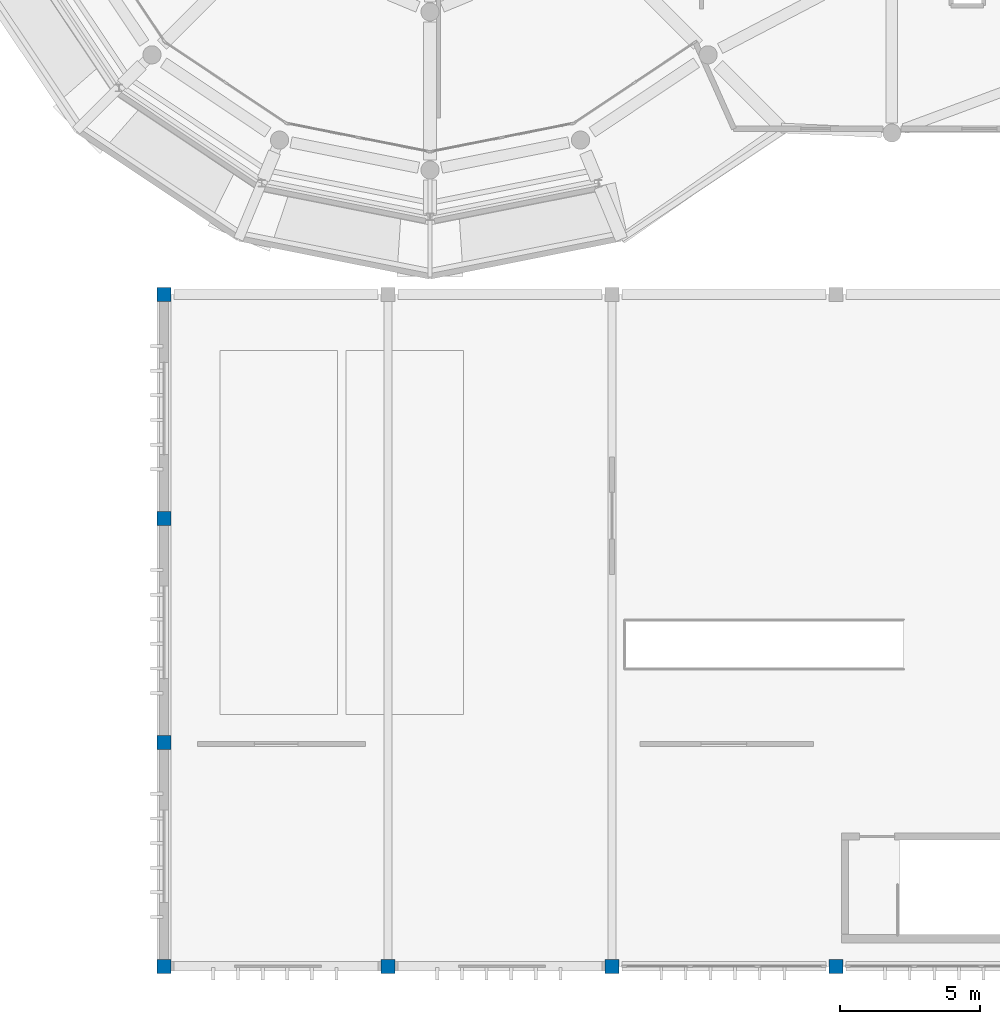
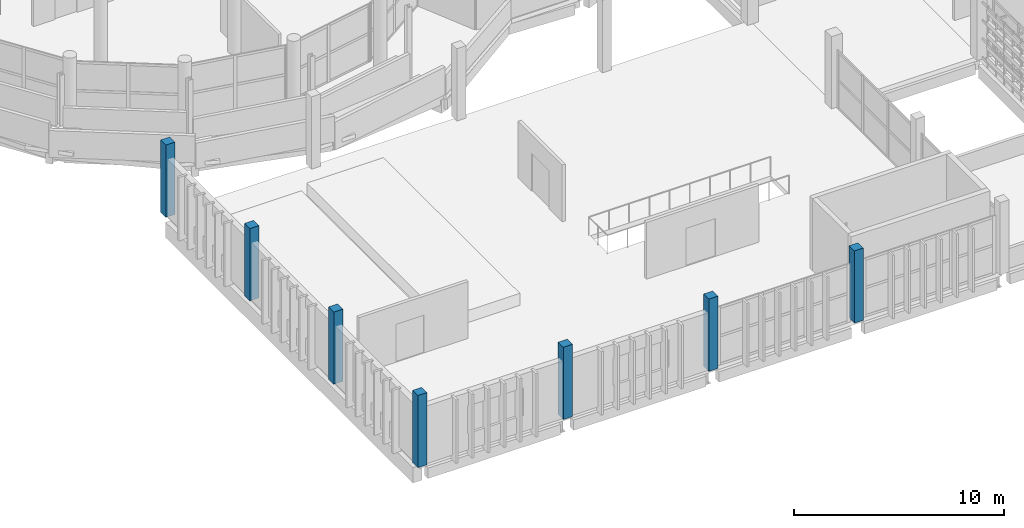
# One storey, part 1 of 137: 7 columns.
"""IFC4 building model written with IfcOpenShell, lengths in metres."""

from ifc_helpers import new_model, si_unit, direction, frame, origin, origin_2d, place, context, subcontext, project, spatial, rectangle, extrude, material, material_profile, profile_set, type_object, element, save


model = new_model("IFC4")

# Units and contexts
model_context = context("Model", 3, precision=1e-05, world=origin(), true_north=direction((0.0, 1.0)))
body_context = subcontext(model_context, "Body", "Model", "MODEL_VIEW")
ifc_project = project(units=[si_unit("LENGTHUNIT", "METRE"), si_unit("AREAUNIT", "SQUARE_METRE"), si_unit("VOLUMEUNIT", "CUBIC_METRE"), si_unit("PLANEANGLEUNIT", "RADIAN"), si_unit("MASSUNIT", "GRAM", prefix="KILO")], contexts=[model_context])

# Site, building, storey
site_placement = place(None, origin())
site = spatial("IfcSite", under=ifc_project, at=site_placement, CompositionType="ELEMENT")
building_placement = place(site_placement, origin())
building = spatial("IfcBuilding", under=site, at=building_placement, Name="Jelvoka-Kovrelna Polytechnic", CompositionType="ELEMENT")
storey_placement = place(building_placement, frame((0.0, 0.0, 9.60009765625)))
storey = spatial("IfcBuildingStorey", under=building, at=storey_placement, Name="L03", CompositionType="ELEMENT", Elevation=9.60009765625)

# Columns
ifc_material = material(Name="Concrete C40/50", Category="concrete")
ifc_material_profile = material_profile(ifc_material, rectangle(XDim=0.5, YDim=0.5, at=origin_2d()), Name="RC 500x500")
ifc_profile_set = profile_set([ifc_material_profile], Name="Concrete C40/50")
column_type = type_object("IfcColumnType", Name="Col_RC_500", PredefinedType="COLUMN", material=ifc_profile_set)
for number, where, z_axis, x_axis, name in (
    (1, (16.0, 0.0, 0.0), (0.0, 0.0, 1.0), (0.0, 1.0, 0.0), "L03 column 0004"),
    (2, (24.0, 0.0, 0.0), (0.0, 0.0, 1.0), (0.0, 1.0, 0.0), "L03 column 0008"),
    (3, (32.0, 0.0, 0.0), (0.0, 0.0, 1.0), (0.0, 1.0, 0.0), "L03 column 0012"),
    (4, (40.0, 0.0, 0.0), (0.0, 0.0, 1.0), (0.0, 1.0, 0.0), "L03 column 0016"),
    (5, (16.0, 8.0, 0.0), (0.0, 0.0, 1.0), (0.0, 1.0, 0.0), "L03 column 0087"),
    (6, (16.0, 16.0, 0.0), (0.0, 0.0, 1.0), (0.0, 1.0, 0.0), "L03 column 0185"),
    (7, (16.0, 24.0, 0.0), (0.0, 0.0, 1.0), (0.0, 1.0, 0.0), "L03 column 0298"),
):
    element("IfcColumn", number, at=place(storey_placement, frame(where, z_axis=z_axis, x_axis=x_axis)), inside=storey, type_object=column_type, Name=name, PredefinedType="COLUMN", context=body_context, shape_type="SweptSolid", body=[
        extrude(rectangle(XDim=0.5, YDim=0.5, at=origin_2d()), origin(), (0.0, 0.0, 1.0), 4.199951171875),
    ])

save(model, "model.ifc")
